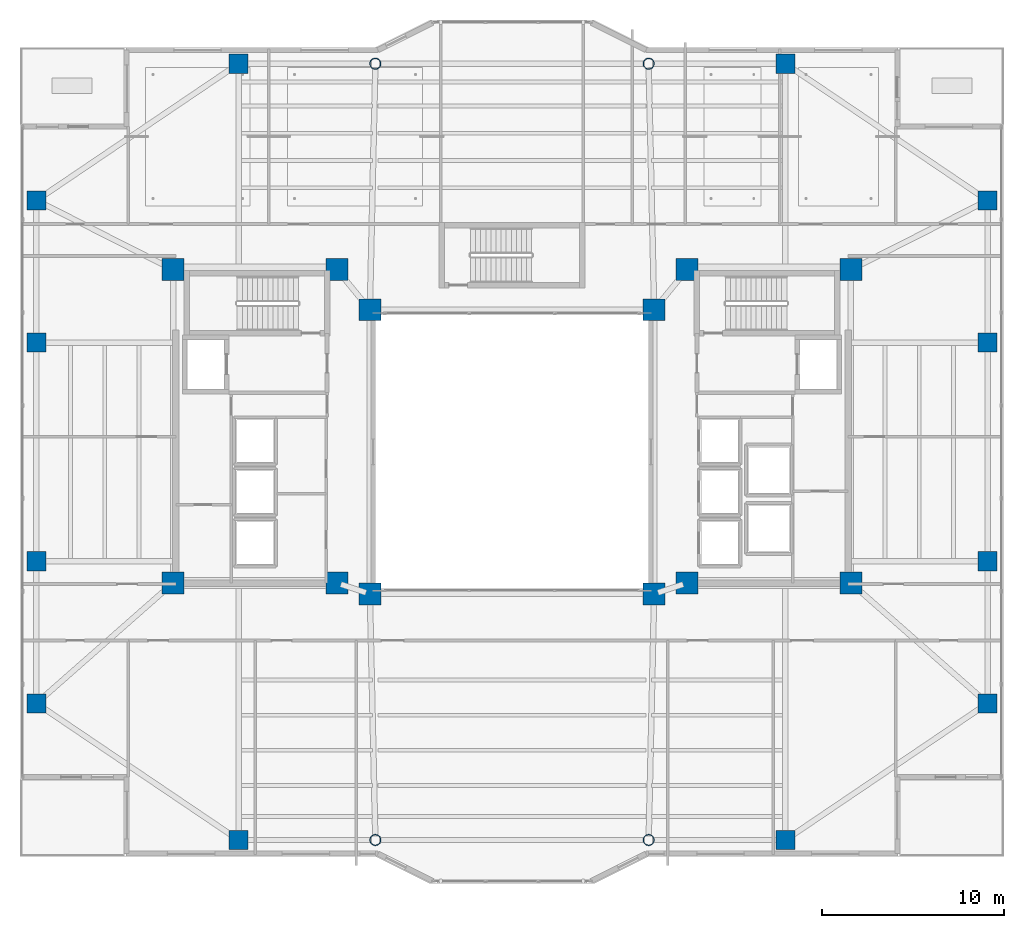
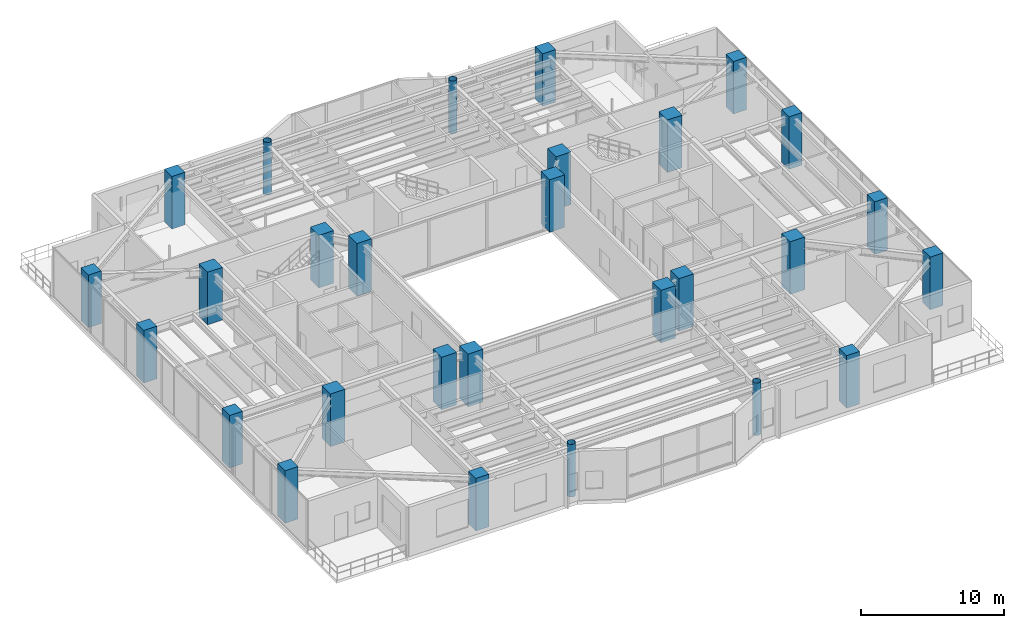
# One storey, part 1 of 37: 28 columns.
"""IFC4 building model written with IfcOpenShell, lengths in metres."""

from ifc_helpers import new_model, si_unit, direction, frame, origin, origin_2d, place, context, subcontext, project, spatial, rectangle, hollow_circle, extrude, material, material_profile, profile_set, type_object, element, save


model = new_model("IFC4")

# Units and contexts
model_context = context("Model", 3, precision=1e-05, world=origin(), true_north=direction((0.0, 1.0)))
body_context = subcontext(model_context, "Body", "Model", "MODEL_VIEW")
ifc_project = project(units=[si_unit("LENGTHUNIT", "METRE"), si_unit("AREAUNIT", "SQUARE_METRE"), si_unit("VOLUMEUNIT", "CUBIC_METRE"), si_unit("PLANEANGLEUNIT", "RADIAN"), si_unit("MASSUNIT", "GRAM", prefix="KILO")], contexts=[model_context])

# Site, building, storey
site_placement = place(None, origin())
site = spatial("IfcSite", under=ifc_project, at=site_placement, CompositionType="ELEMENT")
building_placement = place(site_placement, origin())
building = spatial("IfcBuilding", under=site, at=building_placement, Name="Tarnavaz Court Tower", CompositionType="ELEMENT")
storey_placement = place(building_placement, frame((0.0, 0.0, 118.5)))
storey = spatial("IfcBuildingStorey", under=building, at=storey_placement, Name="L32", CompositionType="ELEMENT", Elevation=118.5)

# Columns
ifc_material_1 = material(Name="Concrete C60/75", Category="concrete")
ifc_material_profile_1 = material_profile(ifc_material_1, rectangle(XDim=1.050048828125, YDim=1.050048828125, at=origin_2d()), Name="RC 1050X1050")
ifc_profile_set_1 = profile_set([ifc_material_profile_1], Name="Concrete C60/75")
column_type_1 = type_object("IfcColumnType", Name="CL-RC1050", PredefinedType="COLUMN", material=ifc_profile_set_1)
for number, where, z_axis, x_axis, name in (
    (1, (-15.0, 21.300048828125, 0.0), (0.0, 0.0, 1.0), (1.0, 0.0, 0.0), "L32 Column PN-1"),
    (2, (15.0, 21.300048828125, 0.0), (0.0, 0.0, 1.0), (1.0, 0.0, 0.0), "L32 Column PN-4"),
    (3, (-15.0, -21.300048828125, 0.0), (0.0, 0.0, 1.0), (1.0, 0.0, 0.0), "L32 Column PS-1"),
    (4, (15.0, -21.300048828125, 0.0), (0.0, 0.0, 1.0), (1.0, 0.0, 0.0), "L32 Column PS-4"),
    (5, (26.10009765625, -13.800048828125, 0.0), (0.0, 0.0, 1.0), (1.0, 0.0, 0.0), "L32 Column PE-1"),
    (6, (26.10009765625, -6.0, 0.0), (0.0, 0.0, 1.0), (1.0, 0.0, 0.0), "L32 Column PE-2"),
    (7, (26.10009765625, 6.0, 0.0), (0.0, 0.0, 1.0), (1.0, 0.0, 0.0), "L32 Column PE-3"),
    (8, (26.10009765625, 13.800048828125, 0.0), (0.0, 0.0, 1.0), (1.0, 0.0, 0.0), "L32 Column PE-4"),
    (9, (-26.10009765625, -13.800048828125, 0.0), (0.0, 0.0, 1.0), (1.0, 0.0, 0.0), "L32 Column PW-1"),
    (10, (-26.10009765625, -6.0, 0.0), (0.0, 0.0, 1.0), (1.0, 0.0, 0.0), "L32 Column PW-2"),
    (11, (-26.10009765625, 6.0, 0.0), (0.0, 0.0, 1.0), (1.0, 0.0, 0.0), "L32 Column PW-3"),
    (12, (-26.10009765625, 13.800048828125, 0.0), (0.0, 0.0, 1.0), (1.0, 0.0, 0.0), "L32 Column PW-4"),
):
    element("IfcColumn", number, at=place(storey_placement, frame(where, z_axis=z_axis, x_axis=x_axis)), inside=storey, type_object=column_type_1, Name=name, PredefinedType="COLUMN", context=body_context, shape_type="SweptSolid", body=[
        extrude(rectangle(XDim=1.050048828125, YDim=1.050048828125, at=origin_2d()), origin(), (0.0, 0.0, 1.0), 4.5),
    ])
ifc_material_profile_2 = material_profile(ifc_material_1, rectangle(XDim=1.199951171875, YDim=1.199951171875, at=origin_2d()), Name="RC 1200X1200")
ifc_profile_set_2 = profile_set([ifc_material_profile_2], Name="Concrete C60/75")
column_type_2 = type_object("IfcColumnType", Name="CL-RC1200", PredefinedType="COLUMN", material=ifc_profile_set_2)
for number, where, z_axis, x_axis, name in (
    (13, (-7.800048828125, -7.800048828125, 0.0), (0.0, 0.0, 1.0), (1.0, 0.0, 0.0), "L32 Column IW-SW"),
    (14, (7.800048828125, -7.800048828125, 0.0), (0.0, 0.0, 1.0), (1.0, 0.0, 0.0), "L32 Column IW-SE"),
    (15, (-7.800048828125, 7.800048828125, 0.0), (0.0, 0.0, 1.0), (1.0, 0.0, 0.0), "L32 Column IW-NW"),
    (16, (7.800048828125, 7.800048828125, 0.0), (0.0, 0.0, 1.0), (1.0, 0.0, 0.0), "L32 Column IW-NE"),
    (17, (-9.60009765625, -7.199951171875, 0.0), (0.0, 0.0, 1.0), (1.0, 0.0, 0.0), "L32 Column CW-SI"),
    (18, (-9.60009765625, 10.0, 0.0), (0.0, 0.0, 1.0), (1.0, 0.0, 0.0), "L32 Column CW-NI"),
    (19, (9.60009765625, -7.199951171875, 0.0), (0.0, 0.0, 1.0), (1.0, 0.0, 0.0), "L32 Column CE-SI"),
    (20, (9.60009765625, 10.0, 0.0), (0.0, 0.0, 1.0), (1.0, 0.0, 0.0), "L32 Column CE-NI"),
    (21, (-18.60009765625, -7.199951171875, 0.0), (0.0, 0.0, 1.0), (1.0, 0.0, 0.0), "L32 Column CW-SO"),
    (22, (-18.60009765625, 10.0, 0.0), (0.0, 0.0, 1.0), (1.0, 0.0, 0.0), "L32 Column CW-NO"),
    (23, (18.60009765625, -7.199951171875, 0.0), (0.0, 0.0, 1.0), (1.0, 0.0, 0.0), "L32 Column CE-SO"),
    (24, (18.60009765625, 10.0, 0.0), (0.0, 0.0, 1.0), (1.0, 0.0, 0.0), "L32 Column CE-NO"),
):
    element("IfcColumn", number, at=place(storey_placement, frame(where, z_axis=z_axis, x_axis=x_axis)), inside=storey, type_object=column_type_2, Name=name, PredefinedType="COLUMN", context=body_context, shape_type="SweptSolid", body=[
        extrude(rectangle(XDim=1.199951171875, YDim=1.199951171875, at=origin_2d()), origin(), (0.0, 0.0, 1.0), 4.5),
    ])
ifc_material_2 = material(Name="Steel S460", Category="steel")
ifc_material_profile_3 = material_profile(ifc_material_2, hollow_circle(Radius=0.304931640625, WallThickness=0.02490234375, at=origin_2d()), Name="CHS 610X25")
ifc_profile_set_3 = profile_set([ifc_material_profile_3], Name="Steel S460")
column_type_3 = type_object("IfcColumnType", Name="CL-S460-CHS610", PredefinedType="COLUMN", material=ifc_profile_set_3)
for number, where, z_axis, x_axis, name in (
    (25, (-7.5, 21.300048828125, 0.0), (0.0, 0.0, 1.0), (1.0, 0.0, 0.0), "L32 Column PN-2"),
    (26, (7.5, 21.300048828125, 0.0), (0.0, 0.0, 1.0), (1.0, 0.0, 0.0), "L32 Column PN-3"),
    (27, (-7.5, -21.300048828125, 0.0), (0.0, 0.0, 1.0), (1.0, 0.0, 0.0), "L32 Column PS-2"),
    (28, (7.5, -21.300048828125, 0.0), (0.0, 0.0, 1.0), (1.0, 0.0, 0.0), "L32 Column PS-3"),
):
    element("IfcColumn", number, at=place(storey_placement, frame(where, z_axis=z_axis, x_axis=x_axis)), inside=storey, type_object=column_type_3, Name=name, PredefinedType="COLUMN", context=body_context, shape_type="SweptSolid", body=[
        extrude(hollow_circle(Radius=0.304931640625, WallThickness=0.02490234375, at=origin_2d()), origin(), (0.0, 0.0, 1.0), 4.5),
    ])

save(model, "model.ifc")
